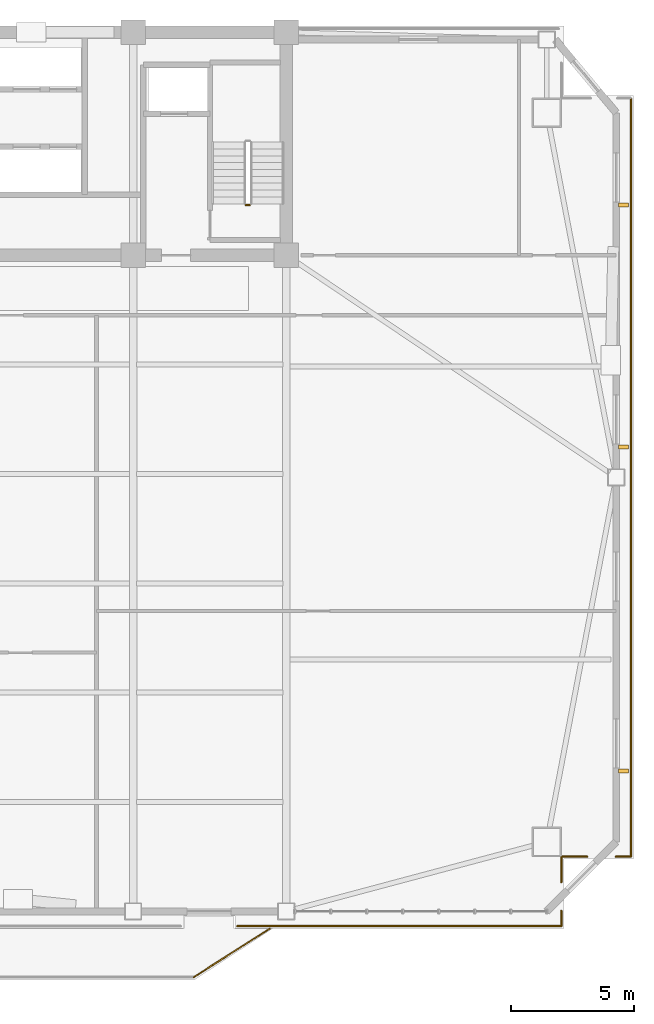
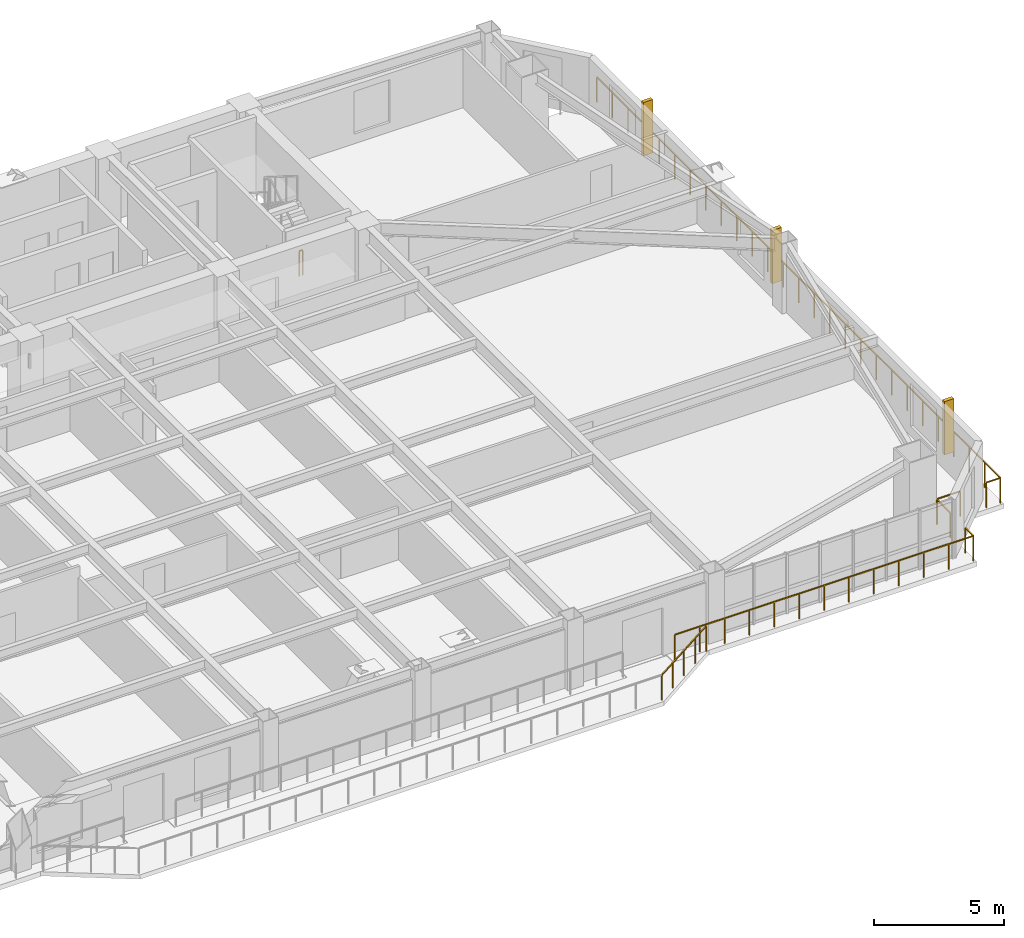
# One storey, part 15 of 17: 8 railings, 3 shading devices.
"""IFC4 building model written with IfcOpenShell, lengths in metres."""

from ifc_helpers import new_model, si_unit, direction, frame, origin, origin_2d, place, context, subcontext, project, spatial, rectangle, extrude, source, transform, mapped, material, type_object, element, save


model = new_model("IFC4")

# Units and contexts
model_context = context("Model", 3, precision=1e-05, world=origin(), true_north=direction((0.0, 1.0)))
body_context = subcontext(model_context, "Body", "Model", "MODEL_VIEW")
ifc_project = project(units=[si_unit("LENGTHUNIT", "METRE"), si_unit("AREAUNIT", "SQUARE_METRE"), si_unit("VOLUMEUNIT", "CUBIC_METRE"), si_unit("PLANEANGLEUNIT", "RADIAN"), si_unit("MASSUNIT", "GRAM", prefix="KILO")], contexts=[model_context])

# Site, building, storey
site_placement = place(None, origin())
site = spatial("IfcSite", under=ifc_project, at=site_placement, CompositionType="ELEMENT")
building_placement = place(site_placement, origin())
building = spatial("IfcBuilding", under=site, at=building_placement, Name="Giltprow Tower", CompositionType="ELEMENT")
storey_placement = place(building_placement, frame((0.0, 0.0, 195.699951171875)))
storey = spatial("IfcBuildingStorey", under=building, at=storey_placement, Name="L49", CompositionType="ELEMENT", Elevation=195.699951171875)

# Railings
ifc_material = material(Name="Anodized bronze", Category="metal")
railing_type_1 = type_object("IfcRailingType", Name="RAIL-BALC-GUARD-1200", PredefinedType="BALUSTRADE", material=ifc_material)
railing_1_placement = place(storey_placement, frame((46.780029296875, 8.0, 0.0)))
element("IfcRailing", 1, at=railing_1_placement, inside=storey, type_object=railing_type_1, Name="L49 Waterfront Balcony Balustrade Seg 3", PredefinedType="BALUSTRADE", context=body_context, shape_type="SweptSolid", body=[
    extrude(rectangle(XDim=0.048095703125, YDim=0.048095703125, at=origin_2d()), frame((0.0, 0.0, 1.17578125), z_axis=(0.842755646126, 0.538296313309, 0.0), x_axis=(-0.538296313309, 0.842755646126, 0.0)), (0.0, 0.0, 1.0), 3.67822265625),
    extrude(rectangle(XDim=0.0419921875, YDim=0.0419921875, at=origin_2d()), origin(), (0.0, 0.0, 1.0), 1.15185546875),
    extrude(rectangle(XDim=0.0419921875, YDim=0.0419921875, at=origin_2d()), frame((0.77490234375, 0.4951171875, 0.0)), (0.0, 0.0, 1.0), 1.15185546875),
    extrude(rectangle(XDim=0.0419921875, YDim=0.0419921875, at=origin_2d()), frame((1.5498046875, 0.989990234375, 0.0)), (0.0, 0.0, 1.0), 1.15185546875),
    extrude(rectangle(XDim=0.0419921875, YDim=0.0419921875, at=origin_2d()), frame((2.324951171875, 1.48486328125, 0.0)), (0.0, 0.0, 1.0), 1.15185546875),
    extrude(rectangle(XDim=0.0419921875, YDim=0.0419921875, at=origin_2d()), frame((3.099853515625, 1.97998046875, 0.0)), (0.0, 0.0, 1.0), 1.15185546875),
])
railing_2_placement = place(storey_placement, frame((64.612060546875, 43.864990234375, 0.0)))
element("IfcRailing", 2, at=railing_2_placement, inside=storey, type_object=railing_type_1, Name="L49 Corner Apron Edge Balustrade 14", PredefinedType="BALUSTRADE", context=body_context, shape_type="SweptSolid", body=[
    extrude(rectangle(XDim=0.048095703125, YDim=0.048095703125, at=origin_2d()), frame((0.0, 0.0, 1.17578125), z_axis=(0.0, -1.0, 0.0), x_axis=(1.0, 0.0, 0.0)), (0.0, 0.0, 1.0), 30.948974609375),
    extrude(rectangle(XDim=0.0419921875, YDim=0.0419921875, at=origin_2d()), origin(), (0.0, 0.0, 1.0), 1.15185546875),
    extrude(rectangle(XDim=0.0419921875, YDim=0.0419921875, at=origin_2d()), frame((0.0, -1.1904296875, 0.0)), (0.0, 0.0, 1.0), 1.15185546875),
    extrude(rectangle(XDim=0.0419921875, YDim=0.0419921875, at=origin_2d()), frame((0.0, -2.380615234375, 0.0)), (0.0, 0.0, 1.0), 1.15185546875),
    extrude(rectangle(XDim=0.0419921875, YDim=0.0419921875, at=origin_2d()), frame((0.0, -3.571044921875, 0.0)), (0.0, 0.0, 1.0), 1.15185546875),
    extrude(rectangle(XDim=0.0419921875, YDim=0.0419921875, at=origin_2d()), frame((0.0, -4.761474609375, 0.0)), (0.0, 0.0, 1.0), 1.15185546875),
    extrude(rectangle(XDim=0.0419921875, YDim=0.0419921875, at=origin_2d()), frame((0.0, -5.95166015625, 0.0)), (0.0, 0.0, 1.0), 1.15185546875),
    extrude(rectangle(XDim=0.0419921875, YDim=0.0419921875, at=origin_2d()), frame((0.0, -7.14208984375, 0.0)), (0.0, 0.0, 1.0), 1.15185546875),
    extrude(rectangle(XDim=0.0419921875, YDim=0.0419921875, at=origin_2d()), frame((0.0, -8.33251953125, 0.0)), (0.0, 0.0, 1.0), 1.15185546875),
    extrude(rectangle(XDim=0.0419921875, YDim=0.0419921875, at=origin_2d()), frame((0.0, -9.522705078125, 0.0)), (0.0, 0.0, 1.0), 1.15185546875),
    extrude(rectangle(XDim=0.0419921875, YDim=0.0419921875, at=origin_2d()), frame((0.0, -10.713134765625, 0.0)), (0.0, 0.0, 1.0), 1.15185546875),
    extrude(rectangle(XDim=0.0419921875, YDim=0.0419921875, at=origin_2d()), frame((0.0, -11.903564453125, 0.0)), (0.0, 0.0, 1.0), 1.15185546875),
    extrude(rectangle(XDim=0.0419921875, YDim=0.0419921875, at=origin_2d()), frame((0.0, -13.09375, 0.0)), (0.0, 0.0, 1.0), 1.15185546875),
    extrude(rectangle(XDim=0.0419921875, YDim=0.0419921875, at=origin_2d()), frame((0.0, -14.2841796875, 0.0)), (0.0, 0.0, 1.0), 1.15185546875),
    extrude(rectangle(XDim=0.0419921875, YDim=0.0419921875, at=origin_2d()), frame((0.0, -15.474609375, 0.0)), (0.0, 0.0, 1.0), 1.15185546875),
    extrude(rectangle(XDim=0.0419921875, YDim=0.0419921875, at=origin_2d()), frame((0.0, -16.664794921875, 0.0)), (0.0, 0.0, 1.0), 1.15185546875),
    extrude(rectangle(XDim=0.0419921875, YDim=0.0419921875, at=origin_2d()), frame((0.0, -17.855224609375, 0.0)), (0.0, 0.0, 1.0), 1.15185546875),
    extrude(rectangle(XDim=0.0419921875, YDim=0.0419921875, at=origin_2d()), frame((0.0, -19.04541015625, 0.0)), (0.0, 0.0, 1.0), 1.15185546875),
    extrude(rectangle(XDim=0.0419921875, YDim=0.0419921875, at=origin_2d()), frame((0.0, -20.23583984375, 0.0)), (0.0, 0.0, 1.0), 1.15185546875),
    extrude(rectangle(XDim=0.0419921875, YDim=0.0419921875, at=origin_2d()), frame((0.0, -21.42626953125, 0.0)), (0.0, 0.0, 1.0), 1.15185546875),
    extrude(rectangle(XDim=0.0419921875, YDim=0.0419921875, at=origin_2d()), frame((0.0, -22.616455078125, 0.0)), (0.0, 0.0, 1.0), 1.15185546875),
    extrude(rectangle(XDim=0.0419921875, YDim=0.0419921875, at=origin_2d()), frame((0.0, -23.806884765625, 0.0)), (0.0, 0.0, 1.0), 1.15185546875),
    extrude(rectangle(XDim=0.0419921875, YDim=0.0419921875, at=origin_2d()), frame((0.0, -24.997314453125, 0.0)), (0.0, 0.0, 1.0), 1.15185546875),
    extrude(rectangle(XDim=0.0419921875, YDim=0.0419921875, at=origin_2d()), frame((0.0, -26.1875, 0.0)), (0.0, 0.0, 1.0), 1.15185546875),
    extrude(rectangle(XDim=0.0419921875, YDim=0.0419921875, at=origin_2d()), frame((0.0, -27.3779296875, 0.0)), (0.0, 0.0, 1.0), 1.15185546875),
    extrude(rectangle(XDim=0.0419921875, YDim=0.0419921875, at=origin_2d()), frame((0.0, -28.568359375, 0.0)), (0.0, 0.0, 1.0), 1.15185546875),
    extrude(rectangle(XDim=0.0419921875, YDim=0.0419921875, at=origin_2d()), frame((0.0, -29.758544921875, 0.0)), (0.0, 0.0, 1.0), 1.15185546875),
    extrude(rectangle(XDim=0.0419921875, YDim=0.0419921875, at=origin_2d()), frame((0.0, -30.948974609375, 0.0)), (0.0, 0.0, 1.0), 1.15185546875),
])
railing_3_placement = place(storey_placement, frame((64.612060546875, 12.916015625, 0.0)))
element("IfcRailing", 3, at=railing_3_placement, inside=storey, type_object=railing_type_1, Name="L49 Corner Apron Edge Balustrade 15", PredefinedType="BALUSTRADE", context=body_context, shape_type="SweptSolid", body=[
    extrude(rectangle(XDim=0.048095703125, YDim=0.048095703125, at=origin_2d()), frame((0.0, 0.0, 1.17578125), z_axis=(-1.0, 0.0, 0.0), x_axis=(0.0, -1.0, 0.0)), (0.0, 0.0, 1.0), 0.619140625),
    extrude(rectangle(XDim=0.0419921875, YDim=0.0419921875, at=origin_2d()), origin(), (0.0, 0.0, 1.0), 1.15185546875),
    extrude(rectangle(XDim=0.0419921875, YDim=0.0419921875, at=origin_2d()), frame((-0.619140625, 0.0, 0.0)), (0.0, 0.0, 1.0), 1.15185546875),
])
railing_4_placement = place(storey_placement, frame((62.8330078125, 12.916015625, 0.0)))
element("IfcRailing", 4, at=railing_4_placement, inside=storey, type_object=railing_type_1, Name="L49 Corner Apron Edge Balustrade 16", PredefinedType="BALUSTRADE", context=body_context, shape_type="SweptSolid", body=[
    extrude(rectangle(XDim=0.048095703125, YDim=0.048095703125, at=origin_2d()), frame((0.0, 0.0, 1.17578125), z_axis=(-1.0, 0.0, 0.0), x_axis=(0.0, -1.0, 0.0)), (0.0, 0.0, 1.0), 1.02099609375),
    extrude(rectangle(XDim=0.0419921875, YDim=0.0419921875, at=origin_2d()), origin(), (0.0, 0.0, 1.0), 1.15185546875),
    extrude(rectangle(XDim=0.0419921875, YDim=0.0419921875, at=origin_2d()), frame((-1.02099609375, 0.0, 0.0)), (0.0, 0.0, 1.0), 1.15185546875),
])
railing_5_placement = place(storey_placement, frame((61.777099609375, 12.8798828125, 0.0)))
element("IfcRailing", 5, at=railing_5_placement, inside=storey, type_object=railing_type_1, Name="L49 Corner Apron Edge Balustrade 17", PredefinedType="BALUSTRADE", context=body_context, shape_type="SweptSolid", body=[
    extrude(rectangle(XDim=0.048095703125, YDim=0.048095703125, at=origin_2d()), frame((0.0, 0.0, 1.17578125), z_axis=(0.0, -1.0, 0.0), x_axis=(1.0, 0.0, 0.0)), (0.0, 0.0, 1.0), 1.019775390625),
    extrude(rectangle(XDim=0.0419921875, YDim=0.0419921875, at=origin_2d()), origin(), (0.0, 0.0, 1.0), 1.15185546875),
    extrude(rectangle(XDim=0.0419921875, YDim=0.0419921875, at=origin_2d()), frame((0.0, -1.019775390625, 0.0)), (0.0, 0.0, 1.0), 1.15185546875),
])
railing_6_placement = place(storey_placement, frame((61.777099609375, 10.699951171875, 0.0)))
element("IfcRailing", 6, at=railing_6_placement, inside=storey, type_object=railing_type_1, Name="L49 Corner Apron Edge Balustrade 18", PredefinedType="BALUSTRADE", context=body_context, shape_type="SweptSolid", body=[
    extrude(rectangle(XDim=0.048095703125, YDim=0.048095703125, at=origin_2d()), frame((0.0, 0.0, 1.17578125), z_axis=(0.0, -1.0, 0.0), x_axis=(1.0, 0.0, 0.0)), (0.0, 0.0, 1.0), 0.619873046875),
    extrude(rectangle(XDim=0.0419921875, YDim=0.0419921875, at=origin_2d()), origin(), (0.0, 0.0, 1.0), 1.15185546875),
    extrude(rectangle(XDim=0.0419921875, YDim=0.0419921875, at=origin_2d()), frame((0.0, -0.619873046875, 0.0)), (0.0, 0.0, 1.0), 1.15185546875),
])
railing_7_placement = place(storey_placement, frame((61.777099609375, 10.080078125, 0.0)))
element("IfcRailing", 7, at=railing_7_placement, inside=storey, type_object=railing_type_1, Name="L49 Corner Apron Edge Balustrade 19", PredefinedType="BALUSTRADE", context=body_context, shape_type="SweptSolid", body=[
    extrude(rectangle(XDim=0.048095703125, YDim=0.048095703125, at=origin_2d()), frame((0.0, 0.0, 1.17578125), z_axis=(-1.0, 0.0, 0.0), x_axis=(0.0, -1.0, 0.0)), (0.0, 0.0, 1.0), 13.22705078125),
    extrude(rectangle(XDim=0.0419921875, YDim=0.0419921875, at=origin_2d()), origin(), (0.0, 0.0, 1.0), 1.15185546875),
    extrude(rectangle(XDim=0.0419921875, YDim=0.0419921875, at=origin_2d()), frame((-1.102294921875, 0.0, 0.0)), (0.0, 0.0, 1.0), 1.15185546875),
    extrude(rectangle(XDim=0.0419921875, YDim=0.0419921875, at=origin_2d()), frame((-2.20458984375, 0.0, 0.0)), (0.0, 0.0, 1.0), 1.15185546875),
    extrude(rectangle(XDim=0.0419921875, YDim=0.0419921875, at=origin_2d()), frame((-3.306640625, 0.0, 0.0)), (0.0, 0.0, 1.0), 1.15185546875),
    extrude(rectangle(XDim=0.0419921875, YDim=0.0419921875, at=origin_2d()), frame((-4.408935546875, 0.0, 0.0)), (0.0, 0.0, 1.0), 1.15185546875),
    extrude(rectangle(XDim=0.0419921875, YDim=0.0419921875, at=origin_2d()), frame((-5.51123046875, 0.0, 0.0)), (0.0, 0.0, 1.0), 1.15185546875),
    extrude(rectangle(XDim=0.0419921875, YDim=0.0419921875, at=origin_2d()), frame((-6.613525390625, 0.0, 0.0)), (0.0, 0.0, 1.0), 1.15185546875),
    extrude(rectangle(XDim=0.0419921875, YDim=0.0419921875, at=origin_2d()), frame((-7.7158203125, 0.0, 0.0)), (0.0, 0.0, 1.0), 1.15185546875),
    extrude(rectangle(XDim=0.0419921875, YDim=0.0419921875, at=origin_2d()), frame((-8.818115234375, 0.0, 0.0)), (0.0, 0.0, 1.0), 1.15185546875),
    extrude(rectangle(XDim=0.0419921875, YDim=0.0419921875, at=origin_2d()), frame((-9.92041015625, 0.0, 0.0)), (0.0, 0.0, 1.0), 1.15185546875),
    extrude(rectangle(XDim=0.0419921875, YDim=0.0419921875, at=origin_2d()), frame((-11.0224609375, 0.0, 0.0)), (0.0, 0.0, 1.0), 1.15185546875),
    extrude(rectangle(XDim=0.0419921875, YDim=0.0419921875, at=origin_2d()), frame((-12.124755859375, 0.0, 0.0)), (0.0, 0.0, 1.0), 1.15185546875),
    extrude(rectangle(XDim=0.0419921875, YDim=0.0419921875, at=origin_2d()), frame((-13.22705078125, 0.0, 0.0)), (0.0, 0.0, 1.0), 1.15185546875),
])
railing_type_2 = type_object("IfcRailingType", Name="RAIL-STAIR-GUARD-1200", PredefinedType="GUARDRAIL", material=ifc_material)
railing_8_placement = place(storey_placement, frame((49.06005859375, 39.5, 0.0)))
element("IfcRailing", 8, at=railing_8_placement, inside=storey, type_object=railing_type_2, Name="L49 ST-3 stair guard 4", PredefinedType="GUARDRAIL", context=body_context, shape_type="SweptSolid", body=[
    extrude(rectangle(XDim=0.048095703125, YDim=0.048095703125, at=origin_2d()), frame((0.0, 0.0, 1.17578125), z_axis=(-1.0, 0.0, 0.0), x_axis=(0.0, -1.0, 0.0)), (0.0, 0.0, 1.0), 0.16015625),
    extrude(rectangle(XDim=0.0419921875, YDim=0.0419921875, at=origin_2d()), origin(), (0.0, 0.0, 1.0), 1.15185546875),
    extrude(rectangle(XDim=0.0419921875, YDim=0.0419921875, at=origin_2d()), frame((-0.16015625, 0.0, 0.0)), (0.0, 0.0, 1.0), 1.15185546875),
])

# Shading devices
shading_device_type = type_object("IfcShadingDeviceType", Name="SHD-FIN-420", PredefinedType="USERDEFINED", material=ifc_material)
shared_shape = source(origin(), body_context, "Body", "SweptSolid", [
    extrude(rectangle(XDim=0.419921875, YDim=0.159912109375, at=origin_2d()), origin(), (0.0, 0.0, 1.0), 2.5),
])
for number, where, z_axis, x_axis, name in (
    (9, (64.31201171875, 16.412109375, 0.35009765625), (0.0, 0.0, 1.0), (1.0, 0.0, 0.0), "L49 E Bronze Vertical Fin 1-1"),
    (10, (64.31201171875, 29.631103515625, 0.35009765625), (0.0, 0.0, 1.0), (1.0, 0.0, 0.0), "L49 E Bronze Vertical Fin 2-1"),
    (11, (64.31201171875, 39.50390625, 0.35009765625), (0.0, 0.0, 1.0), (1.0, 0.0, 0.0), "L49 E Bronze Vertical Fin 2-2"),
):
    element("IfcShadingDevice", number, at=place(storey_placement, frame(where, z_axis=z_axis, x_axis=x_axis)), inside=storey, type_object=shading_device_type, Name=name, ObjectType="FIN", PredefinedType="USERDEFINED", context=body_context, shape_type="MappedRepresentation", body=[
        mapped(shared_shape, transform((0.0, 0.0, 0.0), x_axis=(1.0, 0.0, 0.0), y_axis=(0.0, 1.0, 0.0), z_axis=(0.0, 0.0, 1.0), scale=1.0)),
    ])

save(model, "model.ifc")
